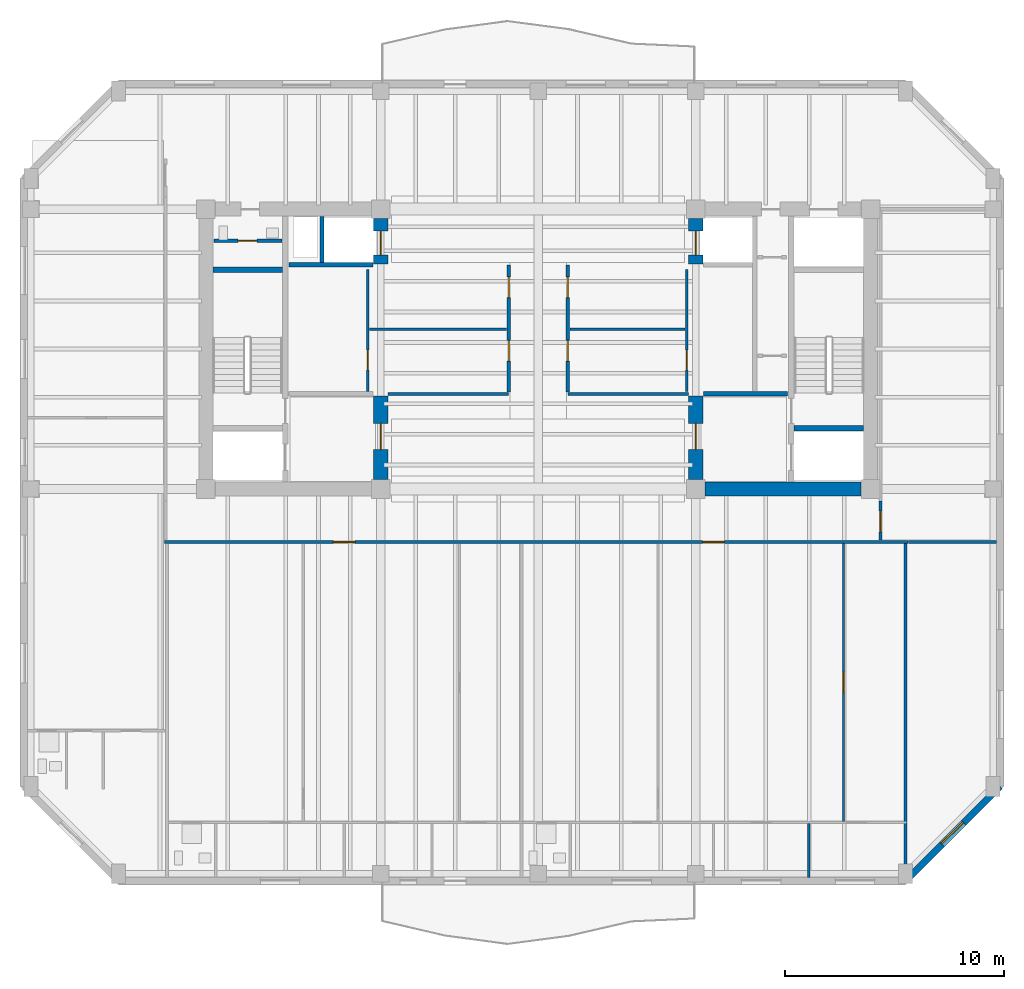
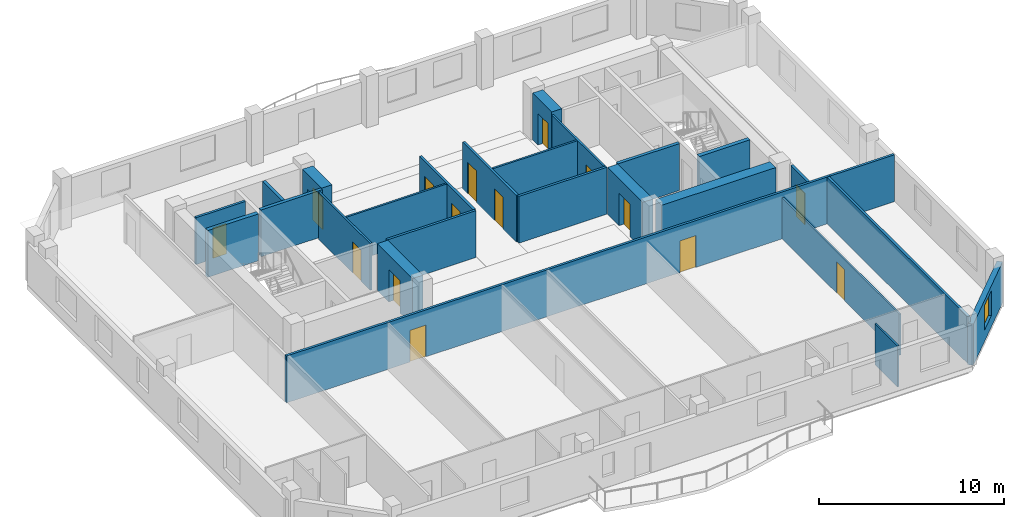
# One storey, part 4 of 11: 26 walls, 15 doors, 1 window, 16 openings.
"""IFC4 building model written with IfcOpenShell, lengths in metres."""

from ifc_helpers import new_model, si_unit, direction, frame, frame_2d, origin, place, context, subcontext, project, spatial, rectangle, extrude, material, layer, layer_set, type_object, element, fill, save


model = new_model("IFC4")

# Units and contexts
model_context = context("Model", 3, precision=1e-05, world=origin(), true_north=direction((0.0, 1.0)))
body_context = subcontext(model_context, "Body", "Model", "MODEL_VIEW")
ifc_project = project(units=[si_unit("LENGTHUNIT", "METRE"), si_unit("AREAUNIT", "SQUARE_METRE"), si_unit("VOLUMEUNIT", "CUBIC_METRE"), si_unit("PLANEANGLEUNIT", "RADIAN"), si_unit("MASSUNIT", "GRAM", prefix="KILO")], contexts=[model_context])

# Site, building, storey
site_placement = place(None, origin())
site = spatial("IfcSite", under=ifc_project, at=site_placement, CompositionType="ELEMENT")
building_placement = place(site_placement, origin())
building = spatial("IfcBuilding", under=site, at=building_placement, Name="Kranthara Brick Stack", CompositionType="ELEMENT")
storey_placement = place(building_placement, frame((0.0, 0.0, 210.89990234375)))
storey = spatial("IfcBuildingStorey", under=building, at=storey_placement, Name="L54", CompositionType="ELEMENT", Elevation=210.89990234375)

# Wall, opening, window
ifc_material_1 = material(Name="Warm buff clay brick masonry M15", Category="masonry")
ifc_layer_1 = layer(ifc_material_1, 0.320068359375)
ifc_layer_set_1 = layer_set([ifc_layer_1], Name="Warm buff clay brick masonry M15")
wall_type_1 = type_object("IfcWallType", Name="WL-BRK-UPPR-320", PredefinedType="STANDARD", material=ifc_layer_set_1)
wall_1_placement = place(storey_placement, frame((49.1201171875, 7.199951171875, 0.0), z_axis=(0.0, 0.0, 1.0), x_axis=(-0.707106781187, -0.707106781187, 0.0)))
wall_1 = element("IfcWall", 1, at=wall_1_placement, inside=storey, type_object=wall_type_1, Name="L54 Exterior Brick Facade Wall SE 1", PredefinedType="STANDARD", context=body_context, shape_type="SweptSolid", body=[
    extrude(rectangle(XDim=6.109619140625, YDim=0.320068359375, at=frame_2d((3.0546875, 0.0))), origin(), (0.0, 0.0, 1.0), 2.72509765625),
])
opening_1_placement = place(wall_1_placement, frame((2.35498046875, 0.0, 0.75)))
opening_1 = element("IfcOpeningElement", 2, at=opening_1_placement, cuts=wall_1, Name="Opening WN10", PredefinedType="OPENING", context=body_context, shape_type="SweptSolid", body=[
    extrude(rectangle(XDim=1.39990234375, YDim=1.64990234375, at=frame_2d((0.699951171875, 0.824951171875))), frame((0.0, 0.169921875, 0.0), z_axis=(0.0, -1.0, 0.0), x_axis=(1.0, 0.0, 0.0)), (0.0, 0.0, 1.0), 0.340087890625),
])
ifc_material_2 = material(Name="Double-glazed low-E solar control glass", Category="glass")
window_type = type_object("IfcWindowType", Name="WN-CHM-1400x1750", PartitioningType="SINGLE_PANEL", PredefinedType="WINDOW", material=ifc_material_2)
window_placement = place(opening_1_placement, origin())
window = element("IfcWindow", 3, at=window_placement, inside=storey, type_object=window_type, Name="L54 SE Chamfer Corner Window", OverallHeight=1.64990234375, OverallWidth=1.39990234375, PartitioningType="SINGLE_PANEL", PredefinedType="WINDOW", context=body_context, shape_type="SweptSolid", body=[
    extrude(rectangle(XDim=1.39990234375, YDim=1.64990234375, at=frame_2d((0.699951171875, 0.824951171875))), frame((0.0, -0.010009765625, 0.0), z_axis=(0.0, -1.0, 0.0), x_axis=(1.0, 0.0, 0.0)), (0.0, 0.0, 1.0), 0.06005859375),
])
fill(opening_1, window)

# Walls
ifc_material_3 = material(Name="Concrete C50/60", Category="concrete")
ifc_layer_2 = layer(ifc_material_3, 0.25)
ifc_layer_set_2 = layer_set([ifc_layer_2], Name="Concrete C50/60")
wall_type_2 = type_object("IfcWallType", Name="WL-CORE-250", PredefinedType="SHEAR", material=ifc_layer_set_2)
for number, where, z_axis, x_axis, name in (
    (4, (13.135009765625, 30.830078125, 0.0), (0.0, 0.0, 1.0), (1.0, 0.0, 0.0), "L54 West Stairwell Bearing Wall WST"),
    (5, (39.68994140625, 23.570068359375, 0.0), (0.0, 0.0, 1.0), (1.0, 0.0, 0.0), "L54 East Stairwell Bearing Wall EFF"),
):
    element("IfcWall", number, at=place(storey_placement, frame(where, z_axis=z_axis, x_axis=x_axis)), inside=storey, type_object=wall_type_2, Name=name, PredefinedType="SHEAR", context=body_context, shape_type="SweptSolid", body=[
        extrude(rectangle(XDim=3.175048828125, YDim=0.25, at=frame_2d((1.58740234375, 0.0))), origin(), (0.0, 0.0, 1.0), 3.10009765625),
    ])

# Wall, opening, door
ifc_material_4 = material(Name="Concrete C60/75", Category="concrete")
ifc_layer_3 = layer(ifc_material_4, 0.64990234375)
ifc_layer_set_3 = layer_set([ifc_layer_3], Name="Concrete C60/75")
wall_type_3 = type_object("IfcWallType", Name="WL-CORE-650", PredefinedType="SHEAR", material=ifc_layer_set_3)
wall_2_placement = place(storey_placement, frame((20.800048828125, 21.22998046875, 0.0), z_axis=(0.0, 0.0, 1.0), x_axis=(0.0, 1.0, 0.0)))
wall_2 = element("IfcWall", 6, at=wall_2_placement, inside=storey, type_object=wall_type_3, Name="L54 West Core Lobby Shear Wall", PredefinedType="SHEAR", context=body_context, shape_type="SweptSolid", body=[
    extrude(rectangle(XDim=3.820068359375, YDim=0.64990234375, at=frame_2d((1.91015625, 0.0))), origin(), (0.0, 0.0, 1.0), 3.10009765625),
])
opening_2_placement = place(wall_2_placement, frame((1.3701171875, 0.0, 0.0)))
opening_2 = element("IfcOpeningElement", 7, at=opening_2_placement, cuts=wall_2, Name="Opening D06", PredefinedType="OPENING", context=body_context, shape_type="SweptSolid", body=[
    extrude(rectangle(XDim=1.199951171875, YDim=2.14990234375, at=frame_2d((0.60009765625, 1.074951171875))), frame((0.0, 0.3349609375, 0.0), z_axis=(0.0, -1.0, 0.0), x_axis=(1.0, 0.0, 0.0)), (0.0, 0.0, 1.0), 0.669921875),
])
ifc_material_5 = material(Name="Solid-core hardwood timber leaf in steel frame", Category="steel")
door_type_1 = type_object("IfcDoorType", Name="DR-FFL-1200", OperationType="NOTDEFINED", PredefinedType="DOOR", material=ifc_material_5)
door_1_placement = place(opening_2_placement, origin())
door_1 = element("IfcDoor", 8, at=door_1_placement, inside=storey, type_object=door_type_1, Name="L54 West Firefighting Lobby Door", OperationType="SINGLE_SWING_LEFT", OverallHeight=2.14990234375, OverallWidth=1.199951171875, PredefinedType="DOOR", context=body_context, shape_type="SweptSolid", body=[
    extrude(rectangle(XDim=1.199951171875, YDim=2.14990234375, at=frame_2d((0.60009765625, 1.074951171875))), frame((0.0, 0.02490234375, 0.0), z_axis=(0.0, -1.0, 0.0), x_axis=(1.0, 0.0, 0.0)), (0.0, 0.0, 1.0), 0.050048828125),
])
fill(opening_2, door_1)

wall_3_placement = place(storey_placement, frame((20.800048828125, 31.10009765625, 0.0), z_axis=(0.0, 0.0, 1.0), x_axis=(0.0, 1.0, 0.0)))
wall_3 = element("IfcWall", 9, at=wall_3_placement, inside=storey, type_object=wall_type_3, Name="L54 West Core High-Rise Lift Wall", PredefinedType="SHEAR", context=body_context, shape_type="SweptSolid", body=[
    extrude(rectangle(XDim=2.06982421875, YDim=0.64990234375, at=frame_2d((1.034912109375, 0.0))), origin(), (0.0, 0.0, 1.0), 3.10009765625),
])
opening_3_placement = place(wall_3_placement, frame((0.39990234375, 0.0, 0.0)))
opening_3 = element("IfcOpeningElement", 10, at=opening_3_placement, cuts=wall_3, Name="Opening LD02", PredefinedType="OPENING", context=body_context, shape_type="SweptSolid", body=[
    extrude(rectangle(XDim=1.10009765625, YDim=2.10009765625, at=frame_2d((0.550048828125, 1.050048828125))), frame((0.0, 0.3349609375, 0.0), z_axis=(0.0, -1.0, 0.0), x_axis=(1.0, 0.0, 0.0)), (0.0, 0.0, 1.0), 0.669921875),
])
ifc_material_6 = material(Name="Stainless steel sliding landing door", Category="steel")
door_type_2 = type_object("IfcDoorType", Name="DR-LD-PL1100", OperationType="DOUBLE_DOOR_SLIDING", PredefinedType="DOOR", material=ifc_material_6)
door_2_placement = place(opening_3_placement, origin())
door_2 = element("IfcDoor", 11, at=door_2_placement, inside=storey, type_object=door_type_2, Name="L54 PL-07 Lift Landing Door", OperationType="DOUBLE_DOOR_SLIDING", OverallHeight=2.10009765625, OverallWidth=1.10009765625, PredefinedType="DOOR", context=body_context, shape_type="SweptSolid", body=[
    extrude(rectangle(XDim=1.10009765625, YDim=2.10009765625, at=frame_2d((0.550048828125, 1.050048828125))), frame((0.0, 0.02490234375, 0.0), z_axis=(0.0, -1.0, 0.0), x_axis=(1.0, 0.0, 0.0)), (0.0, 0.0, 1.0), 0.050048828125),
])
fill(opening_3, door_2)

# Wall
wall_4_placement = place(storey_placement, frame((35.6298828125, 20.800048828125, 0.0), z_axis=(0.0, 0.0, 1.0), x_axis=(1.0, 0.0, 0.0)))
element("IfcWall", 12, at=wall_4_placement, inside=storey, type_object=wall_type_3, Name="L54 East Core Shear Wall South", PredefinedType="SHEAR", context=body_context, shape_type="SweptSolid", body=[
    extrude(rectangle(XDim=7.14013671875, YDim=0.64990234375, at=frame_2d((3.570068359375, 0.0))), origin(), (0.0, 0.0, 1.0), 3.10009765625),
])

# Wall, opening, door
wall_5_placement = place(storey_placement, frame((35.199951171875, 21.22998046875, 0.0), z_axis=(0.0, 0.0, 1.0), x_axis=(0.0, 1.0, 0.0)))
wall_5 = element("IfcWall", 13, at=wall_5_placement, inside=storey, type_object=wall_type_3, Name="L54 East Core Lobby Shear Wall", PredefinedType="SHEAR", context=body_context, shape_type="SweptSolid", body=[
    extrude(rectangle(XDim=3.820068359375, YDim=0.64990234375, at=frame_2d((1.91015625, 0.0))), origin(), (0.0, 0.0, 1.0), 3.10009765625),
])
opening_4_placement = place(wall_5_placement, frame((1.3701171875, 0.0, 0.0)))
opening_4 = element("IfcOpeningElement", 14, at=opening_4_placement, cuts=wall_5, Name="Opening D06", PredefinedType="OPENING", context=body_context, shape_type="SweptSolid", body=[
    extrude(rectangle(XDim=1.199951171875, YDim=2.14990234375, at=frame_2d((0.60009765625, 1.074951171875))), frame((0.0, 0.3349609375, 0.0), z_axis=(0.0, -1.0, 0.0), x_axis=(1.0, 0.0, 0.0)), (0.0, 0.0, 1.0), 0.669921875),
])
door_3_placement = place(opening_4_placement, origin())
door_3 = element("IfcDoor", 15, at=door_3_placement, inside=storey, type_object=door_type_1, Name="L54 East Firefighting Lobby Door", OperationType="SINGLE_SWING_RIGHT", OverallHeight=2.14990234375, OverallWidth=1.199951171875, PredefinedType="DOOR", context=body_context, shape_type="SweptSolid", body=[
    extrude(rectangle(XDim=1.199951171875, YDim=2.14990234375, at=frame_2d((0.60009765625, 1.074951171875))), frame((0.0, 0.02490234375, 0.0), z_axis=(0.0, -1.0, 0.0), x_axis=(1.0, 0.0, 0.0)), (0.0, 0.0, 1.0), 0.050048828125),
])
fill(opening_4, door_3)

wall_6_placement = place(storey_placement, frame((35.199951171875, 31.10009765625, 0.0), z_axis=(0.0, 0.0, 1.0), x_axis=(0.0, 1.0, 0.0)))
wall_6 = element("IfcWall", 16, at=wall_6_placement, inside=storey, type_object=wall_type_3, Name="L54 East Core High-Rise Lift Wall", PredefinedType="SHEAR", context=body_context, shape_type="SweptSolid", body=[
    extrude(rectangle(XDim=2.06982421875, YDim=0.64990234375, at=frame_2d((1.034912109375, 0.0))), origin(), (0.0, 0.0, 1.0), 3.10009765625),
])
opening_5_placement = place(wall_6_placement, frame((0.39990234375, 0.0, 0.0)))
opening_5 = element("IfcOpeningElement", 17, at=opening_5_placement, cuts=wall_6, Name="Opening LD02", PredefinedType="OPENING", context=body_context, shape_type="SweptSolid", body=[
    extrude(rectangle(XDim=1.10009765625, YDim=2.10009765625, at=frame_2d((0.550048828125, 1.050048828125))), frame((0.0, 0.3349609375, 0.0), z_axis=(0.0, -1.0, 0.0), x_axis=(1.0, 0.0, 0.0)), (0.0, 0.0, 1.0), 0.669921875),
])
door_4_placement = place(opening_5_placement, origin())
door_4 = element("IfcDoor", 18, at=door_4_placement, inside=storey, type_object=door_type_2, Name="L54 PL-08 Lift Landing Door", OperationType="DOUBLE_DOOR_SLIDING", OverallHeight=2.10009765625, OverallWidth=1.10009765625, PredefinedType="DOOR", context=body_context, shape_type="SweptSolid", body=[
    extrude(rectangle(XDim=1.10009765625, YDim=2.10009765625, at=frame_2d((0.550048828125, 1.050048828125))), frame((0.0, 0.02490234375, 0.0), z_axis=(0.0, -1.0, 0.0), x_axis=(1.0, 0.0, 0.0)), (0.0, 0.0, 1.0), 0.050048828125),
])
fill(opening_5, door_4)

ifc_material_7 = material(Name="Moisture-resistant wet-room partition", Category="other")
ifc_layer_4 = layer(ifc_material_7, 0.10009765625)
ifc_layer_set_4 = layer_set([ifc_layer_4], Name="Moisture-resistant wet-room partition")
wall_type_4 = type_object("IfcWallType", Name="WL-PART-100", PredefinedType="PARTITIONING", material=ifc_layer_set_4)
wall_7_placement = place(storey_placement, frame((41.9580078125, 5.60498046875, 0.0), z_axis=(0.0, 0.0, 1.0), x_axis=(0.0, 1.0, 0.0)))
wall_7 = element("IfcWall", 19, at=wall_7_placement, inside=storey, type_object=wall_type_4, Name="L54 Interior Partition 022", PredefinedType="PARTITIONING", context=body_context, shape_type="SweptSolid", body=[
    extrude(rectangle(XDim=12.695068359375, YDim=0.10009765625, at=frame_2d((6.34765625, 0.0))), origin(), (0.0, 0.0, 1.0), 2.72509765625),
])
opening_6_placement = place(wall_7_placement, frame((5.909912109375, 0.0, 0.0)))
opening_6 = element("IfcOpeningElement", 20, at=opening_6_placement, cuts=wall_7, Name="Opening D15", PredefinedType="OPENING", context=body_context, shape_type="SweptSolid", body=[
    extrude(rectangle(XDim=0.89990234375, YDim=2.050048828125, at=frame_2d((0.449951171875, 1.02490234375))), frame((0.0, 0.06005859375, 0.0), z_axis=(0.0, -1.0, 0.0), x_axis=(1.0, 0.0, 0.0)), (0.0, 0.0, 1.0), 0.1201171875),
])
ifc_material_8 = material(Name="Solid-core hardwood timber leaf in steel frame", Category="steel")
door_type_3 = type_object("IfcDoorType", Name="DR-INT-900", OperationType="NOTDEFINED", PredefinedType="DOOR", material=ifc_material_8)
door_5_placement = place(opening_6_placement, origin())
door_5 = element("IfcDoor", 21, at=door_5_placement, inside=storey, type_object=door_type_3, Name="L54 Unit L54B Bedroom 3 18", OperationType="SINGLE_SWING_RIGHT", OverallHeight=2.050048828125, OverallWidth=0.89990234375, PredefinedType="DOOR", context=body_context, shape_type="SweptSolid", body=[
    extrude(rectangle(XDim=0.89990234375, YDim=2.050048828125, at=frame_2d((0.449951171875, 1.02490234375))), frame((0.0, 0.02490234375, 0.0), z_axis=(0.0, -1.0, 0.0), x_axis=(1.0, 0.0, 0.0)), (0.0, 0.0, 1.0), 0.050048828125),
])
fill(opening_6, door_5)

# Wall
wall_8_placement = place(storey_placement, frame((40.367919921875, 3.044921875, 0.0), z_axis=(0.0, 0.0, 1.0), x_axis=(0.0, 1.0, 0.0)))
element("IfcWall", 22, at=wall_8_placement, inside=storey, type_object=wall_type_4, Name="L54 Interior Partition 026", PredefinedType="PARTITIONING", context=body_context, shape_type="SweptSolid", body=[
    extrude(rectangle(XDim=2.4501953125, YDim=0.10009765625, at=frame_2d((1.22509765625, 0.0))), origin(), (0.0, 0.0, 1.0), 2.72509765625),
])

# Wall, opening, door
ifc_material_9 = material(Name="Acoustic gypsum plasterboard partition", Category="other")
ifc_layer_5 = layer(ifc_material_9, 0.1201171875)
ifc_layer_set_5 = layer_set([ifc_layer_5], Name="Acoustic gypsum plasterboard partition")
wall_type_5 = type_object("IfcWallType", Name="WL-PART-120", PredefinedType="PARTITIONING", material=ifc_layer_set_5)
wall_9_placement = place(storey_placement, frame((20.199951171875, 25.2548828125, 0.0), z_axis=(0.0, 0.0, 1.0), x_axis=(0.0, 1.0, 0.0)))
wall_9 = element("IfcWall", 23, at=wall_9_placement, inside=storey, type_object=wall_type_5, Name="L54 Interior Partition 007", PredefinedType="PARTITIONING", context=body_context, shape_type="SweptSolid", body=[
    extrude(rectangle(XDim=5.59521484375, YDim=0.1201171875, at=frame_2d((2.797607421875, 0.0))), origin(), (0.0, 0.0, 1.0), 3.10009765625),
])
opening_7_placement = place(wall_9_placement, frame((0.9951171875, 0.0, 0.0)))
opening_7 = element("IfcOpeningElement", 24, at=opening_7_placement, cuts=wall_9, Name="Opening D15", PredefinedType="OPENING", context=body_context, shape_type="SweptSolid", body=[
    extrude(rectangle(XDim=0.89990234375, YDim=2.050048828125, at=frame_2d((0.449951171875, 1.02490234375))), frame((0.0, 0.070068359375, 0.0), z_axis=(0.0, -1.0, 0.0), x_axis=(1.0, 0.0, 0.0)), (0.0, 0.0, 1.0), 0.14013671875),
])
door_6_placement = place(opening_7_placement, origin())
door_6 = element("IfcDoor", 25, at=door_6_placement, inside=storey, type_object=door_type_3, Name="L54 Music Room Door 04", OperationType="SINGLE_SWING_RIGHT", OverallHeight=2.050048828125, OverallWidth=0.89990234375, PredefinedType="DOOR", context=body_context, shape_type="SweptSolid", body=[
    extrude(rectangle(XDim=0.89990234375, YDim=2.050048828125, at=frame_2d((0.449951171875, 1.02490234375))), frame((0.0, 0.02490234375, 0.0), z_axis=(0.0, -1.0, 0.0), x_axis=(1.0, 0.0, 0.0)), (0.0, 0.0, 1.0), 0.050048828125),
])
fill(opening_7, door_6)

# Wall
wall_10_placement = place(storey_placement, frame((20.280029296875, 28.10009765625, 0.0), z_axis=(0.0, 0.0, 1.0), x_axis=(1.0, 0.0, 0.0)))
element("IfcWall", 26, at=wall_10_placement, inside=storey, type_object=wall_type_5, Name="L54 Interior Partition 008", PredefinedType="PARTITIONING", context=body_context, shape_type="SweptSolid", body=[
    extrude(rectangle(XDim=6.27001953125, YDim=0.1201171875, at=frame_2d((3.135009765625, 0.0))), origin(), (0.0, 0.0, 1.0), 3.10009765625),
])

# Wall, opening, door
wall_11_placement = place(storey_placement, frame((34.800048828125, 25.25, 0.0), z_axis=(0.0, 0.0, 1.0), x_axis=(0.0, 1.0, 0.0)))
wall_11 = element("IfcWall", 27, at=wall_11_placement, inside=storey, type_object=wall_type_5, Name="L54 Interior Partition 010", PredefinedType="PARTITIONING", context=body_context, shape_type="SweptSolid", body=[
    extrude(rectangle(XDim=5.60009765625, YDim=0.1201171875, at=frame_2d((2.800048828125, 0.0))), origin(), (0.0, 0.0, 1.0), 3.10009765625),
])
opening_8_placement = place(wall_11_placement, frame((1.0, 0.0, 0.0)))
opening_8 = element("IfcOpeningElement", 28, at=opening_8_placement, cuts=wall_11, Name="Opening D15", PredefinedType="OPENING", context=body_context, shape_type="SweptSolid", body=[
    extrude(rectangle(XDim=0.89990234375, YDim=2.050048828125, at=frame_2d((0.449951171875, 1.02490234375))), frame((0.0, 0.070068359375, 0.0), z_axis=(0.0, -1.0, 0.0), x_axis=(1.0, 0.0, 0.0)), (0.0, 0.0, 1.0), 0.14013671875),
])
door_7_placement = place(opening_8_placement, origin())
door_7 = element("IfcDoor", 29, at=door_7_placement, inside=storey, type_object=door_type_3, Name="L54 Yoga Studio Door 07", OperationType="SINGLE_SWING_LEFT", OverallHeight=2.050048828125, OverallWidth=0.89990234375, PredefinedType="DOOR", context=body_context, shape_type="SweptSolid", body=[
    extrude(rectangle(XDim=0.89990234375, YDim=2.050048828125, at=frame_2d((0.449951171875, 1.02490234375))), frame((0.0, 0.02490234375, 0.0), z_axis=(0.0, -1.0, 0.0), x_axis=(1.0, 0.0, 0.0)), (0.0, 0.0, 1.0), 0.050048828125),
])
fill(opening_8, door_7)

# Wall
wall_12_placement = place(storey_placement, frame((29.449951171875, 28.10009765625, 0.0), z_axis=(0.0, 0.0, 1.0), x_axis=(1.0, 0.0, 0.0)))
element("IfcWall", 30, at=wall_12_placement, inside=storey, type_object=wall_type_5, Name="L54 Interior Partition 011", PredefinedType="PARTITIONING", context=body_context, shape_type="SweptSolid", body=[
    extrude(rectangle(XDim=5.27001953125, YDim=0.1201171875, at=frame_2d((2.635009765625, 0.0))), origin(), (0.0, 0.0, 1.0), 3.10009765625),
])

# Wall, opening, door
ifc_material_10 = material(Name="Fire-rated gypsum board partition", Category="other")
ifc_layer_6 = layer(ifc_material_10, 0.14990234375)
ifc_layer_set_6 = layer_set([ifc_layer_6], Name="Fire-rated gypsum board partition")
wall_type_6 = type_object("IfcWallType", Name="WL-PART-150", PredefinedType="PARTITIONING", material=ifc_layer_set_6)
wall_13_placement = place(storey_placement, frame((13.179931640625, 32.14990234375, 0.0), z_axis=(0.0, 0.0, 1.0), x_axis=(1.0, 0.0, 0.0)))
wall_13 = element("IfcWall", 31, at=wall_13_placement, inside=storey, type_object=wall_type_6, Name="L54 Interior Partition 001", PredefinedType="PARTITIONING", context=body_context, shape_type="SweptSolid", body=[
    extrude(rectangle(XDim=3.10009765625, YDim=0.14990234375, at=frame_2d((1.550048828125, 0.0))), origin(), (0.0, 0.0, 1.0), 3.10009765625),
])
opening_9_placement = place(wall_13_placement, frame((1.10009765625, 0.0, 0.0)))
opening_9 = element("IfcOpeningElement", 32, at=opening_9_placement, cuts=wall_13, Name="Opening D10", PredefinedType="OPENING", context=body_context, shape_type="SweptSolid", body=[
    extrude(rectangle(XDim=0.85009765625, YDim=2.02001953125, at=frame_2d((0.425048828125, 1.010009765625))), frame((0.0, 0.0849609375, 0.0), z_axis=(0.0, -1.0, 0.0), x_axis=(1.0, 0.0, 0.0)), (0.0, 0.0, 1.0), 0.169921875),
])
ifc_material_11 = material(Name="Solid-core hardwood timber leaf in steel frame", Category="steel")
door_type_4 = type_object("IfcDoorType", Name="DR-RSR-850", OperationType="NOTDEFINED", PredefinedType="DOOR", material=ifc_material_11)
door_8_placement = place(opening_9_placement, origin())
door_8 = element("IfcDoor", 33, at=door_8_placement, inside=storey, type_object=door_type_4, Name="L54 West Inner Riser Door 01", OperationType="SINGLE_SWING_LEFT", OverallHeight=2.02001953125, OverallWidth=0.85009765625, PredefinedType="DOOR", context=body_context, shape_type="SweptSolid", body=[
    extrude(rectangle(XDim=0.85009765625, YDim=2.02001953125, at=frame_2d((0.425048828125, 1.010009765625))), frame((0.0, 0.02490234375, 0.0), z_axis=(0.0, -1.0, 0.0), x_axis=(1.0, 0.0, 0.0)), (0.0, 0.0, 1.0), 0.050048828125),
])
fill(opening_9, door_8)

# Walls
for number, where, z_axis, x_axis, name in (
    (34, (21.1298828125, 25.14990234375, 0.0), (0.0, 0.0, 1.0), (1.0, 0.0, 0.0), "L54 Interior Partition 004"),
    (35, (29.35009765625, 25.14990234375, 0.0), (0.0, 0.0, 1.0), (1.0, 0.0, 0.0), "L54 Interior Partition 005"),
):
    element("IfcWall", number, at=place(storey_placement, frame(where, z_axis=z_axis, x_axis=x_axis)), inside=storey, type_object=wall_type_6, Name=name, PredefinedType="PARTITIONING", context=body_context, shape_type="SweptSolid", body=[
        extrude(rectangle(XDim=5.52001953125, YDim=0.14990234375, at=frame_2d((2.760009765625, 0.0))), origin(), (0.0, 0.0, 1.0), 3.10009765625),
    ])

# Wall, openings, doors
wall_14_placement = place(storey_placement, frame((26.64990234375, 25.22998046875, 0.0), z_axis=(0.0, 0.0, 1.0), x_axis=(0.0, 1.0, 0.0)))
wall_14 = element("IfcWall", 36, at=wall_14_placement, inside=storey, type_object=wall_type_6, Name="L54 Interior Partition 006", PredefinedType="PARTITIONING", context=body_context, shape_type="SweptSolid", body=[
    extrude(rectangle(XDim=5.820068359375, YDim=0.14990234375, at=frame_2d((2.91015625, 0.0))), origin(), (0.0, 0.0, 1.0), 3.10009765625),
])
opening_10_placement = place(wall_14_placement, frame((1.419921875, 0.0, 0.0)))
opening_10 = element("IfcOpeningElement", 37, at=opening_10_placement, cuts=wall_14, Name="Opening D09", PredefinedType="OPENING", context=body_context, shape_type="SweptSolid", body=[
    extrude(rectangle(XDim=0.949951171875, YDim=2.10009765625, at=frame_2d((0.47509765625, 1.050048828125))), frame((0.0, 0.0849609375, 0.0), z_axis=(0.0, -1.0, 0.0), x_axis=(1.0, 0.0, 0.0)), (0.0, 0.0, 1.0), 0.169921875),
])
opening_11_placement = place(wall_14_placement, frame((4.320068359375, 0.0, 0.0)))
opening_11 = element("IfcOpeningElement", 38, at=opening_11_placement, cuts=wall_14, Name="Opening D09", PredefinedType="OPENING", context=body_context, shape_type="SweptSolid", body=[
    extrude(rectangle(XDim=0.949951171875, YDim=2.10009765625, at=frame_2d((0.47509765625, 1.050048828125))), frame((0.0, 0.0849609375, 0.0), z_axis=(0.0, -1.0, 0.0), x_axis=(1.0, 0.0, 0.0)), (0.0, 0.0, 1.0), 0.169921875),
])
ifc_material_12 = material(Name="Solid-core hardwood timber leaf in steel frame", Category="steel")
door_type_5 = type_object("IfcDoorType", Name="DR-FD-950", OperationType="NOTDEFINED", PredefinedType="DOOR", material=ifc_material_12)
door_9_placement = place(opening_10_placement, origin())
door_9 = element("IfcDoor", 39, at=door_9_placement, inside=storey, type_object=door_type_5, Name="L54 Sky Club Reading Room 05", OperationType="SINGLE_SWING_LEFT", OverallHeight=2.10009765625, OverallWidth=0.949951171875, PredefinedType="DOOR", context=body_context, shape_type="SweptSolid", body=[
    extrude(rectangle(XDim=0.949951171875, YDim=2.10009765625, at=frame_2d((0.47509765625, 1.050048828125))), frame((0.0, 0.02490234375, 0.0), z_axis=(0.0, -1.0, 0.0), x_axis=(1.0, 0.0, 0.0)), (0.0, 0.0, 1.0), 0.050048828125),
])
fill(opening_10, door_9)
door_10_placement = place(opening_11_placement, origin())
door_10 = element("IfcDoor", 40, at=door_10_placement, inside=storey, type_object=door_type_5, Name="L54 Sky Club Card Salon 06", OperationType="SINGLE_SWING_RIGHT", OverallHeight=2.10009765625, OverallWidth=0.949951171875, PredefinedType="DOOR", context=body_context, shape_type="SweptSolid", body=[
    extrude(rectangle(XDim=0.949951171875, YDim=2.10009765625, at=frame_2d((0.47509765625, 1.050048828125))), frame((0.0, 0.02490234375, 0.0), z_axis=(0.0, -1.0, 0.0), x_axis=(1.0, 0.0, 0.0)), (0.0, 0.0, 1.0), 0.050048828125),
])
fill(opening_11, door_10)

wall_15_placement = place(storey_placement, frame((29.35009765625, 25.22998046875, 0.0), z_axis=(0.0, 0.0, 1.0), x_axis=(0.0, 1.0, 0.0)))
wall_15 = element("IfcWall", 41, at=wall_15_placement, inside=storey, type_object=wall_type_6, Name="L54 Interior Partition 009", PredefinedType="PARTITIONING", context=body_context, shape_type="SweptSolid", body=[
    extrude(rectangle(XDim=5.820068359375, YDim=0.14990234375, at=frame_2d((2.91015625, 0.0))), origin(), (0.0, 0.0, 1.0), 3.10009765625),
])
opening_12_placement = place(wall_15_placement, frame((1.419921875, 0.0, 0.0)))
opening_12 = element("IfcOpeningElement", 42, at=opening_12_placement, cuts=wall_15, Name="Opening D09", PredefinedType="OPENING", context=body_context, shape_type="SweptSolid", body=[
    extrude(rectangle(XDim=0.949951171875, YDim=2.10009765625, at=frame_2d((0.47509765625, 1.050048828125))), frame((0.0, 0.0849609375, 0.0), z_axis=(0.0, -1.0, 0.0), x_axis=(1.0, 0.0, 0.0)), (0.0, 0.0, 1.0), 0.169921875),
])
opening_13_placement = place(wall_15_placement, frame((4.320068359375, 0.0, 0.0)))
opening_13 = element("IfcOpeningElement", 43, at=opening_13_placement, cuts=wall_15, Name="Opening D09", PredefinedType="OPENING", context=body_context, shape_type="SweptSolid", body=[
    extrude(rectangle(XDim=0.949951171875, YDim=2.10009765625, at=frame_2d((0.47509765625, 1.050048828125))), frame((0.0, 0.0849609375, 0.0), z_axis=(0.0, -1.0, 0.0), x_axis=(1.0, 0.0, 0.0)), (0.0, 0.0, 1.0), 0.169921875),
])
door_11_placement = place(opening_12_placement, origin())
door_11 = element("IfcDoor", 44, at=door_11_placement, inside=storey, type_object=door_type_5, Name="L54 Drawing Salon 08", OperationType="SINGLE_SWING_RIGHT", OverallHeight=2.10009765625, OverallWidth=0.949951171875, PredefinedType="DOOR", context=body_context, shape_type="SweptSolid", body=[
    extrude(rectangle(XDim=0.949951171875, YDim=2.10009765625, at=frame_2d((0.47509765625, 1.050048828125))), frame((0.0, 0.02490234375, 0.0), z_axis=(0.0, -1.0, 0.0), x_axis=(1.0, 0.0, 0.0)), (0.0, 0.0, 1.0), 0.050048828125),
])
fill(opening_12, door_11)
door_12_placement = place(opening_13_placement, origin())
door_12 = element("IfcDoor", 45, at=door_12_placement, inside=storey, type_object=door_type_5, Name="L54 Board Games Room 09", OperationType="SINGLE_SWING_LEFT", OverallHeight=2.10009765625, OverallWidth=0.949951171875, PredefinedType="DOOR", context=body_context, shape_type="SweptSolid", body=[
    extrude(rectangle(XDim=0.949951171875, YDim=2.10009765625, at=frame_2d((0.47509765625, 1.050048828125))), frame((0.0, 0.02490234375, 0.0), z_axis=(0.0, -1.0, 0.0), x_axis=(1.0, 0.0, 0.0)), (0.0, 0.0, 1.0), 0.050048828125),
])
fill(opening_13, door_12)

wall_16_placement = place(storey_placement, frame((10.89990234375, 18.3798828125, 0.0), z_axis=(0.0, 0.0, 1.0), x_axis=(1.0, 0.0, 0.0)))
wall_16 = element("IfcWall", 46, at=wall_16_placement, inside=storey, type_object=wall_type_6, Name="L54 Interior Partition 012", PredefinedType="PARTITIONING", context=body_context, shape_type="SweptSolid", body=[
    extrude(rectangle(XDim=34.02001953125, YDim=0.14990234375, at=frame_2d((17.010009765625, 0.0))), origin(), (0.0, 0.0, 1.0), 3.10009765625),
])
opening_14_placement = place(wall_16_placement, frame((7.72705078125, 0.0, 0.0)))
opening_14 = element("IfcOpeningElement", 47, at=opening_14_placement, cuts=wall_16, Name="Opening D08", PredefinedType="OPENING", context=body_context, shape_type="SweptSolid", body=[
    extrude(rectangle(XDim=1.0, YDim=2.10009765625, at=frame_2d((0.5, 1.050048828125))), frame((0.0, 0.0849609375, 0.0), z_axis=(0.0, -1.0, 0.0), x_axis=(1.0, 0.0, 0.0)), (0.0, 0.0, 1.0), 0.169921875),
])
opening_15_placement = place(wall_16_placement, frame((24.616943359375, 0.0, 0.0)))
opening_15 = element("IfcOpeningElement", 48, at=opening_15_placement, cuts=wall_16, Name="Opening D08", PredefinedType="OPENING", context=body_context, shape_type="SweptSolid", body=[
    extrude(rectangle(XDim=1.0, YDim=2.10009765625, at=frame_2d((0.5, 1.050048828125))), frame((0.0, 0.0849609375, 0.0), z_axis=(0.0, -1.0, 0.0), x_axis=(1.0, 0.0, 0.0)), (0.0, 0.0, 1.0), 0.169921875),
])
ifc_material_13 = material(Name="Solid-core hardwood timber leaf in steel frame", Category="steel")
door_type_6 = type_object("IfcDoorType", Name="DR-FD-1000", OperationType="NOTDEFINED", PredefinedType="DOOR", material=ifc_material_13)
door_13_placement = place(opening_14_placement, origin())
door_13 = element("IfcDoor", 49, at=door_13_placement, inside=storey, type_object=door_type_6, Name="L54 Unit L54A Entrance 10", OperationType="SINGLE_SWING_RIGHT", OverallHeight=2.10009765625, OverallWidth=1.0, PredefinedType="DOOR", context=body_context, shape_type="SweptSolid", body=[
    extrude(rectangle(XDim=1.0, YDim=2.10009765625, at=frame_2d((0.5, 1.050048828125))), frame((0.0, 0.02490234375, 0.0), z_axis=(0.0, -1.0, 0.0), x_axis=(1.0, 0.0, 0.0)), (0.0, 0.0, 1.0), 0.050048828125),
])
fill(opening_14, door_13)
door_14_placement = place(opening_15_placement, origin())
door_14 = element("IfcDoor", 50, at=door_14_placement, inside=storey, type_object=door_type_6, Name="L54 Unit L54B Entrance 17", OperationType="SINGLE_SWING_LEFT", OverallHeight=2.10009765625, OverallWidth=1.0, PredefinedType="DOOR", context=body_context, shape_type="SweptSolid", body=[
    extrude(rectangle(XDim=1.0, YDim=2.10009765625, at=frame_2d((0.5, 1.050048828125))), frame((0.0, 0.02490234375, 0.0), z_axis=(0.0, -1.0, 0.0), x_axis=(1.0, 0.0, 0.0)), (0.0, 0.0, 1.0), 0.050048828125),
])
fill(opening_15, door_14)

# Walls
wall_17_placement = place(storey_placement, frame((44.800048828125, 3.044921875, 0.0), z_axis=(0.0, 0.0, 1.0), x_axis=(0.0, 1.0, 0.0)))
element("IfcWall", 51, at=wall_17_placement, inside=storey, type_object=wall_type_6, Name="L54 Interior Partition 027", PredefinedType="PARTITIONING", context=body_context, shape_type="SweptSolid", body=[
    extrude(rectangle(XDim=15.255126953125, YDim=0.14990234375, at=frame_2d((7.62744140625, 0.0))), origin(), (0.0, 0.0, 1.0), 3.10009765625),
])
wall_18_placement = place(storey_placement, frame((44.929931640625, 18.3798828125, 0.0), z_axis=(0.0, 0.0, 1.0), x_axis=(1.0, 0.0, 0.0)))
element("IfcWall", 52, at=wall_18_placement, inside=storey, type_object=wall_type_6, Name="L54 Interior Partition 037", PredefinedType="PARTITIONING", context=body_context, shape_type="SweptSolid", body=[
    extrude(rectangle(XDim=4.025146484375, YDim=0.14990234375, at=frame_2d((2.0126953125, 0.0))), origin(), (0.0, 0.0, 1.0), 3.10009765625),
])

# Wall, opening, door
wall_19_placement = place(storey_placement, frame((43.64990234375, 18.4599609375, 0.0), z_axis=(0.0, 0.0, 1.0), x_axis=(0.0, 1.0, 0.0)))
wall_19 = element("IfcWall", 53, at=wall_19_placement, inside=storey, type_object=wall_type_6, Name="L54 Interior Partition 039", PredefinedType="PARTITIONING", context=body_context, shape_type="SweptSolid", body=[
    extrude(rectangle(XDim=1.7900390625, YDim=0.14990234375, at=frame_2d((0.89501953125, 0.0))), origin(), (0.0, 0.0, 1.0), 3.10009765625),
])
opening_16_placement = place(wall_19_placement, frame((0.3798828125, 0.0, 0.0)))
opening_16 = element("IfcOpeningElement", 54, at=opening_16_placement, cuts=wall_19, Name="Opening D09", PredefinedType="OPENING", context=body_context, shape_type="SweptSolid", body=[
    extrude(rectangle(XDim=0.949951171875, YDim=2.10009765625, at=frame_2d((0.47509765625, 1.050048828125))), frame((0.0, 0.0849609375, 0.0), z_axis=(0.0, -1.0, 0.0), x_axis=(1.0, 0.0, 0.0)), (0.0, 0.0, 1.0), 0.169921875),
])
door_15_placement = place(opening_16_placement, origin())
door_15 = element("IfcDoor", 55, at=door_15_placement, inside=storey, type_object=door_type_5, Name="L54 East Sky Conservatory Door 29", OperationType="SINGLE_SWING_LEFT", OverallHeight=2.10009765625, OverallWidth=0.949951171875, PredefinedType="DOOR", context=body_context, shape_type="SweptSolid", body=[
    extrude(rectangle(XDim=0.949951171875, YDim=2.10009765625, at=frame_2d((0.47509765625, 1.050048828125))), frame((0.0, 0.02490234375, 0.0), z_axis=(0.0, -1.0, 0.0), x_axis=(1.0, 0.0, 0.0)), (0.0, 0.0, 1.0), 0.050048828125),
])
fill(opening_16, door_15)

# Walls
ifc_material_14 = material(Name="Gypsum plasterboard on acoustic twin stud", Category="other")
ifc_layer_7 = layer(ifc_material_14, 0.179931640625)
ifc_layer_set_7 = layer_set([ifc_layer_7], Name="Gypsum plasterboard on acoustic twin stud")
wall_type_7 = type_object("IfcWallType", Name="WL-PART-180", PredefinedType="PARTITIONING", material=ifc_layer_set_7)
wall_20_placement = place(storey_placement, frame((18.1201171875, 31.169921875, 0.0), z_axis=(0.0, 0.0, 1.0), x_axis=(0.0, 1.0, 0.0)))
element("IfcWall", 56, at=wall_20_placement, inside=storey, type_object=wall_type_7, Name="L54 PL-07 Shaft Back Wall", PredefinedType="PARTITIONING", context=body_context, shape_type="SweptSolid", body=[
    extrude(rectangle(XDim=2.094970703125, YDim=0.179931640625, at=frame_2d((1.04736328125, 0.0))), origin(), (0.0, 0.0, 1.0), 3.10009765625),
])
ifc_material_15 = material(Name="Concrete C40/50", Category="concrete")
ifc_layer_8 = layer(ifc_material_15, 0.199951171875)
ifc_layer_set_8 = layer_set([ifc_layer_8], Name="Concrete C40/50")
wall_type_8 = type_object("IfcWallType", Name="WL-PART-200", PredefinedType="SOLIDWALL", material=ifc_layer_set_8)
for number, where, z_axis, x_axis, name in (
    (57, (16.60009765625, 31.050048828125, 0.0), (0.0, 0.0, 1.0), (1.0, 0.0, 0.0), "L54 West Core Cross Wall WH4"),
    (58, (35.550048828125, 25.14990234375, 0.0), (0.0, 0.0, 1.0), (1.0, 0.0, 0.0), "L54 East Core Cross Wall EFL"),
):
    element("IfcWall", number, at=place(storey_placement, frame(where, z_axis=z_axis, x_axis=x_axis)), inside=storey, type_object=wall_type_8, Name=name, PredefinedType="SOLIDWALL", context=body_context, shape_type="SweptSolid", body=[
        extrude(rectangle(XDim=3.849853515625, YDim=0.199951171875, at=frame_2d((1.9248046875, 0.0))), origin(), (0.0, 0.0, 1.0), 3.10009765625),
    ])

save(model, "model.ifc")
